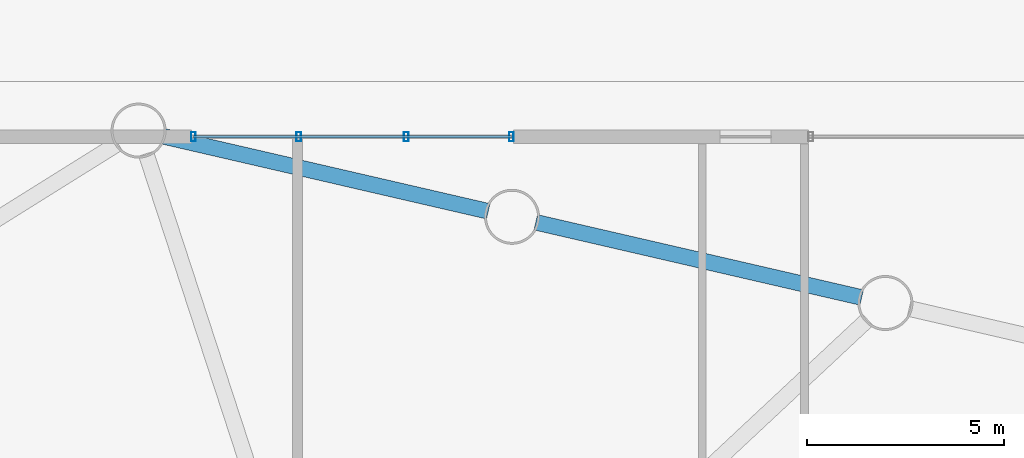
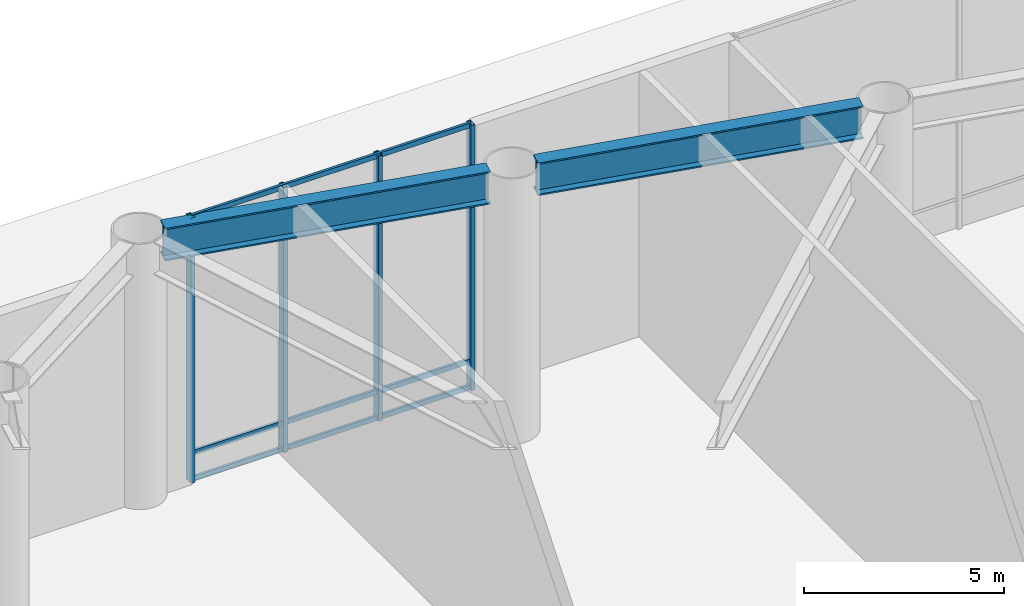
# One storey, part 17 of 28: 7 members, 2 beams, 1 element without a shape of its own.
"""IFC4 building model written with IfcOpenShell, lengths in metres."""

from ifc_helpers import new_model, si_unit, direction, frame, origin, origin_2d, place, context, subcontext, project, spatial, hollow_rectangle, i_section, extrude, material, layer, layer_set, material_profile, profile_set, type_object, element, aggregate, save


model = new_model("IFC4")

# Units and contexts
model_context = context("Model", 3, precision=1e-05, world=origin(), true_north=direction((0.0, 1.0)))
body_context = subcontext(model_context, "Body", "Model", "MODEL_VIEW")
ifc_project = project(units=[si_unit("LENGTHUNIT", "METRE"), si_unit("AREAUNIT", "SQUARE_METRE"), si_unit("VOLUMEUNIT", "CUBIC_METRE"), si_unit("PLANEANGLEUNIT", "RADIAN"), si_unit("MASSUNIT", "GRAM", prefix="KILO")], contexts=[model_context])

# Site, building, storey
site_placement = place(None, origin())
site = spatial("IfcSite", under=ifc_project, at=site_placement, CompositionType="ELEMENT")
building_placement = place(site_placement, origin())
building = spatial("IfcBuilding", under=site, at=building_placement, Name="Tavrogorsk Clinical Tower", CompositionType="ELEMENT")
storey_placement = place(building_placement, origin())
storey = spatial("IfcBuildingStorey", under=building, at=storey_placement, Name="L00", CompositionType="ELEMENT", Elevation=0.0)

# Curtain wall, members
ifc_material_1 = material(Name="Anodised aluminium and triple IGU glazing", Category="aluminium")
ifc_layer = layer(ifc_material_1, 0.179931640625)
ifc_layer_set = layer_set([ifc_layer], Name="Anodised aluminium and triple IGU glazing")
curtain_wall_type = type_object("IfcCurtainWallType", Name="CW1_LobbyStick", PredefinedType="NOTDEFINED", material=ifc_layer_set)
curtain_wall_placement = place(storey_placement, origin())
curtain_wall = element("IfcCurtainWall", 1, at=curtain_wall_placement, inside=storey, type_object=curtain_wall_type, Name="L00 Curtain Wall CW-L00-N2", PredefinedType="NOTDEFINED")
ifc_material_2 = material(Name="Anodised aluminium alloy AW-6060", Category="aluminium")
ifc_material_profile_1 = material_profile(ifc_material_2, hollow_rectangle(XDim=0.1201171875, YDim=0.239990234375, WallThickness=0.008056640625, at=origin_2d()), Name="RHS-240x120x8")
ifc_profile_set_1 = profile_set([ifc_material_profile_1], Name="Anodised aluminium alloy AW-6060")
member_type_1 = type_object("IfcMemberType", Name="CwMullion_240x120", PredefinedType="MULLION", material=ifc_profile_set_1)
member_1_placement = place(storey_placement, frame((-20.555908203125, 30.0, 0.0), z_axis=(0.0, 0.0, 1.0), x_axis=(-1.0, 0.0, 0.0)))
member_1 = element("IfcMember", 2, at=member_1_placement, type_object=member_type_1, Name="CW-L00-N2 Mullion 1", PredefinedType="MULLION", context=body_context, shape_type="SweptSolid", body=[
    extrude(hollow_rectangle(XDim=0.1201171875, YDim=0.239990234375, WallThickness=0.008056640625, at=origin_2d()), origin(), (0.0, 0.0, 1.0), 8.10009765625),
])
member_2_placement = place(storey_placement, frame((-23.23193359375, 30.0, 0.0), z_axis=(0.0, 0.0, 1.0), x_axis=(-1.0, 0.0, 0.0)))
member_2 = element("IfcMember", 3, at=member_2_placement, type_object=member_type_1, Name="CW-L00-N2 Mullion 2", PredefinedType="MULLION", context=body_context, shape_type="SweptSolid", body=[
    extrude(hollow_rectangle(XDim=0.1201171875, YDim=0.239990234375, WallThickness=0.008056640625, at=origin_2d()), origin(), (0.0, 0.0, 1.0), 8.10009765625),
])
member_3_placement = place(storey_placement, frame((-25.968017578125, 30.0, 0.0), z_axis=(0.0, 0.0, 1.0), x_axis=(-1.0, 0.0, 0.0)))
member_3 = element("IfcMember", 4, at=member_3_placement, type_object=member_type_1, Name="CW-L00-N2 Mullion 3", PredefinedType="MULLION", context=body_context, shape_type="SweptSolid", body=[
    extrude(hollow_rectangle(XDim=0.1201171875, YDim=0.239990234375, WallThickness=0.008056640625, at=origin_2d()), origin(), (0.0, 0.0, 1.0), 8.10009765625),
])
member_4_placement = place(storey_placement, frame((-28.64404296875, 30.0, 0.0), z_axis=(0.0, 0.0, 1.0), x_axis=(-1.0, 0.0, 0.0)))
member_4 = element("IfcMember", 5, at=member_4_placement, type_object=member_type_1, Name="CW-L00-N2 Mullion 4", PredefinedType="MULLION", context=body_context, shape_type="SweptSolid", body=[
    extrude(hollow_rectangle(XDim=0.1201171875, YDim=0.239990234375, WallThickness=0.008056640625, at=origin_2d()), origin(), (0.0, 0.0, 1.0), 8.10009765625),
])
ifc_material_3 = material(Name="Anodised aluminium alloy AW-6060", Category="aluminium")
ifc_material_profile_2 = material_profile(ifc_material_3, hollow_rectangle(XDim=0.074951171875, YDim=0.14990234375, WallThickness=0.0048828125, at=origin_2d()), Name="RHS-150x75x5")
ifc_profile_set_2 = profile_set([ifc_material_profile_2], Name="Anodised aluminium alloy AW-6060")
member_type_2 = type_object("IfcMemberType", Name="CwTransom_150x75", PredefinedType="USERDEFINED", material=ifc_profile_set_2)
member_5_placement = place(storey_placement, frame((-20.555908203125, 30.0, 0.050048828125), z_axis=(-1.0, 0.0, 0.0), x_axis=(0.0, -1.0, 0.0)))
member_5 = element("IfcMember", 6, at=member_5_placement, type_object=member_type_2, Name="CW-L00-N2 Transom 1", ObjectType="TRANSOM", PredefinedType="USERDEFINED", context=body_context, shape_type="SweptSolid", body=[
    extrude(hollow_rectangle(XDim=0.074951171875, YDim=0.14990234375, WallThickness=0.0048828125, at=origin_2d()), origin(), (0.0, 0.0, 1.0), 8.088134765625),
])
member_6_placement = place(storey_placement, frame((-20.555908203125, 30.0, 0.85009765625), z_axis=(-1.0, 0.0, 0.0), x_axis=(0.0, -1.0, 0.0)))
member_6 = element("IfcMember", 7, at=member_6_placement, type_object=member_type_2, Name="CW-L00-N2 Transom 2", ObjectType="TRANSOM", PredefinedType="USERDEFINED", context=body_context, shape_type="SweptSolid", body=[
    extrude(hollow_rectangle(XDim=0.074951171875, YDim=0.14990234375, WallThickness=0.0048828125, at=origin_2d()), origin(), (0.0, 0.0, 1.0), 8.088134765625),
])
member_7_placement = place(storey_placement, frame((-20.555908203125, 30.0, 8.050048828125), z_axis=(-1.0, 0.0, 0.0), x_axis=(0.0, -1.0, 0.0)))
member_7 = element("IfcMember", 8, at=member_7_placement, type_object=member_type_2, Name="CW-L00-N2 Transom 3", ObjectType="TRANSOM", PredefinedType="USERDEFINED", context=body_context, shape_type="SweptSolid", body=[
    extrude(hollow_rectangle(XDim=0.074951171875, YDim=0.14990234375, WallThickness=0.0048828125, at=origin_2d()), origin(), (0.0, 0.0, 1.0), 8.088134765625),
])
aggregate(curtain_wall, [member_1, member_2, member_3, member_4, member_5, member_6, member_7])

# Beams
ifc_material_4 = material(Name="Structural steel S440", Category="steel")
ifc_material_profile_3 = material_profile(ifc_material_4, i_section(OverallWidth=0.39990234375, OverallDepth=1.0, WebThickness=0.028076171875, FlangeThickness=0.044921875, at=origin_2d()), Name="DK-1000x400x28x45")
ifc_profile_set_3 = profile_set([ifc_material_profile_3], Name="Structural steel S440")
beam_type = type_object("IfcBeamType", Name="TransferGirder_DK1000", PredefinedType="USERDEFINED", material=ifc_profile_set_3)
for number, where, z_axis, x_axis, name in (
    (9, (-11.646484375, 25.91015625, 7.60009765625), (-0.974368945516, 0.224955902375, 0.0), (-0.224955902375, -0.974368945516, 0.0), "L00 Perimeter Stilt Ring Girder N6-N7"),
    (10, (-21.14501953125, 28.103271484375, 7.60009765625), (-0.974375234474, 0.224928660788, 0.0), (-0.224928660788, -0.974375234474, 0.0), "L00 Perimeter Stilt Ring Girder N7-N8"),
):
    element("IfcBeam", number, at=place(storey_placement, frame(where, z_axis=z_axis, x_axis=x_axis)), inside=storey, type_object=beam_type, Name=name, ObjectType="GIRDER", PredefinedType="USERDEFINED", context=body_context, shape_type="SweptSolid", body=[
        extrude(i_section(OverallWidth=0.39990234375, OverallDepth=1.0, WebThickness=0.028076171875, FlangeThickness=0.044921875, at=origin_2d()), origin(), (0.0, 0.0, 1.0), 8.508544921875),
    ])

save(model, "model.ifc")
